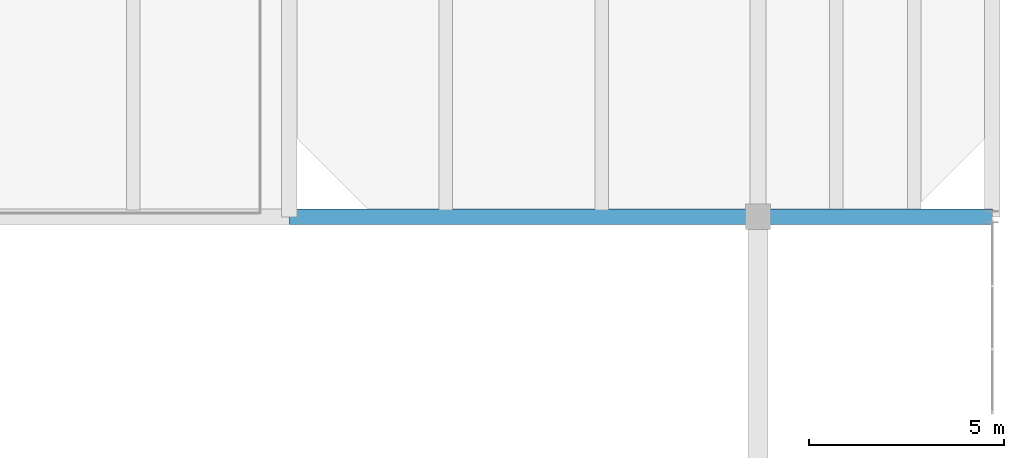
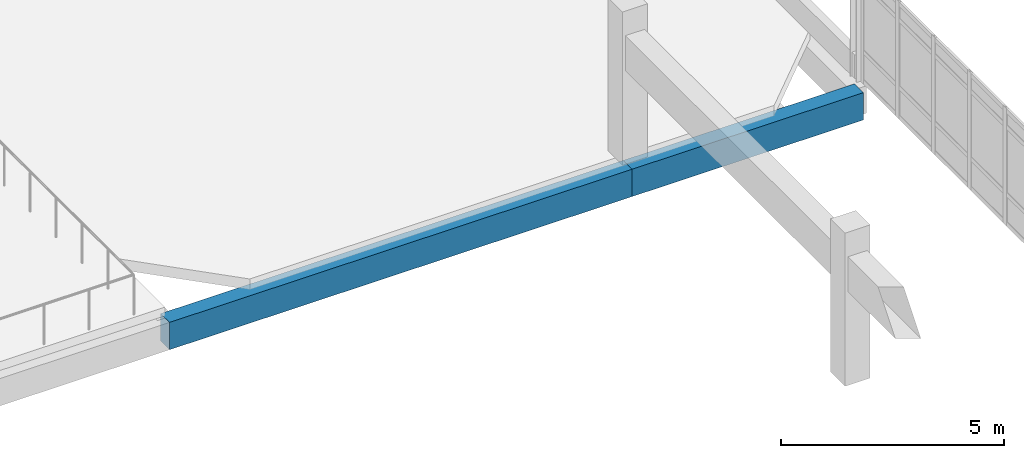
# One storey, part 87 of 111: 2 beams.
"""IFC4 building model written with IfcOpenShell, lengths in metres."""

from ifc_helpers import new_model, si_unit, direction, frame, origin, origin_2d, place, context, subcontext, project, spatial, rectangle, extrude, material, material_profile, profile_set, type_object, element, save


model = new_model("IFC4")

# Units and contexts
model_context = context("Model", 3, precision=1e-05, world=origin(), true_north=direction((0.0, 1.0)))
body_context = subcontext(model_context, "Body", "Model", "MODEL_VIEW")
ifc_project = project(units=[si_unit("LENGTHUNIT", "METRE"), si_unit("AREAUNIT", "SQUARE_METRE"), si_unit("VOLUMEUNIT", "CUBIC_METRE"), si_unit("PLANEANGLEUNIT", "RADIAN"), si_unit("MASSUNIT", "GRAM", prefix="KILO")], contexts=[model_context])

# Site, building, storey
site_placement = place(None, origin())
site = spatial("IfcSite", under=ifc_project, at=site_placement, CompositionType="ELEMENT")
building_placement = place(site_placement, origin())
building = spatial("IfcBuilding", under=site, at=building_placement, Name="Mersad Railyard Sports Hall", CompositionType="ELEMENT")
storey_placement = place(building_placement, frame((0.0, 0.0, 9.0)))
storey = spatial("IfcBuildingStorey", under=building, at=storey_placement, Name="L02", CompositionType="ELEMENT", Elevation=9.0)

# Beams
ifc_material = material(Name="Concrete C40/50", Category="concrete")
ifc_material_profile = material_profile(ifc_material, rectangle(XDim=0.39990234375, YDim=0.75, at=origin_2d()), Name="RC 400x750")
ifc_profile_set = profile_set([ifc_material_profile], Name="Concrete C40/50")
beam_type = type_object("IfcBeamType", Name="STR-BM-B01", PredefinedType="BEAM", material=ifc_profile_set)
beam_1_placement = place(storey_placement, frame((161.0, 95.0, -0.675048828125), z_axis=(1.0, 0.0, 0.0), x_axis=(0.0, 1.0, 0.0)))
element("IfcBeam", 1, at=beam_1_placement, inside=storey, type_object=beam_type, Name="Beam B01-1127", PredefinedType="BEAM", context=body_context, shape_type="SweptSolid", body=[
    extrude(rectangle(XDim=0.39990234375, YDim=0.75, at=origin_2d()), origin(), (0.0, 0.0, 1.0), 12.0),
])
beam_2_placement = place(storey_placement, frame((173.0, 95.0, -0.675048828125), z_axis=(1.0, 0.0, 0.0), x_axis=(0.0, 1.0, 0.0)))
element("IfcBeam", 2, at=beam_2_placement, inside=storey, type_object=beam_type, Name="Beam B01-1128", PredefinedType="BEAM", context=body_context, shape_type="SweptSolid", body=[
    extrude(rectangle(XDim=0.39990234375, YDim=0.75, at=origin_2d()), origin(), (0.0, 0.0, 1.0), 6.0),
])

save(model, "model.ifc")
